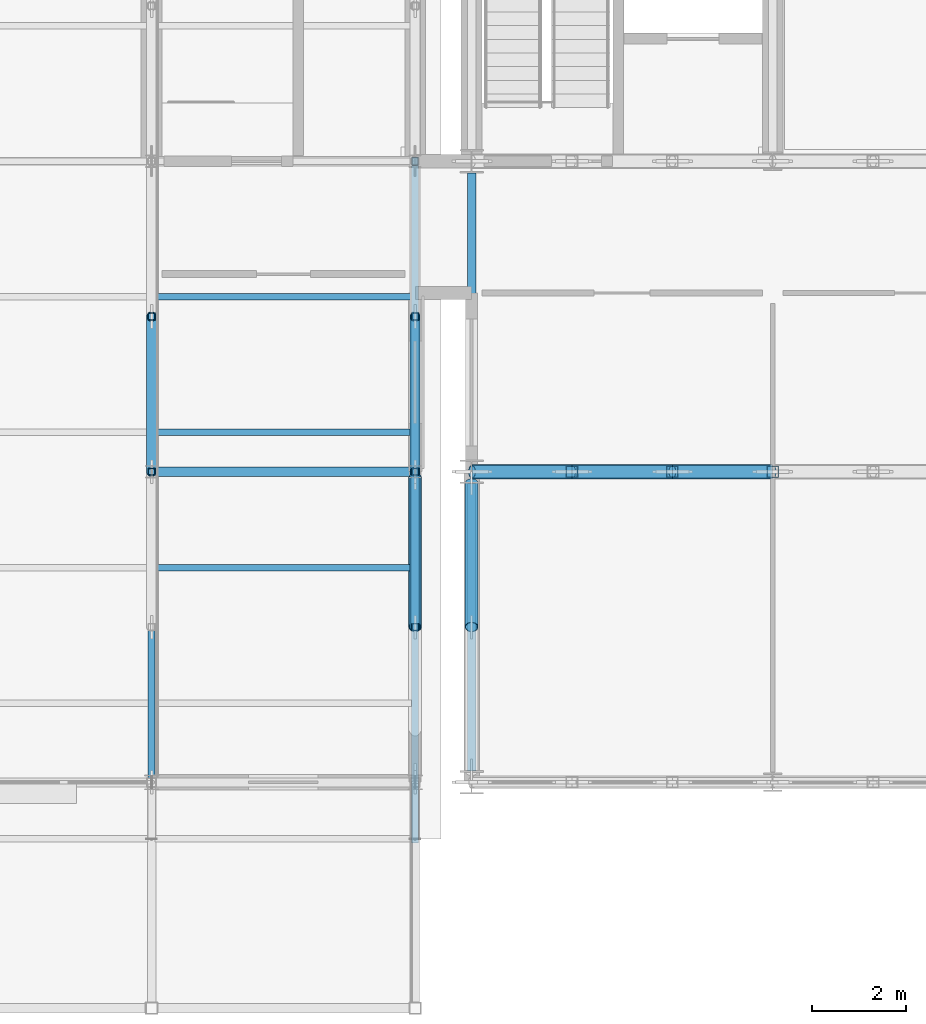
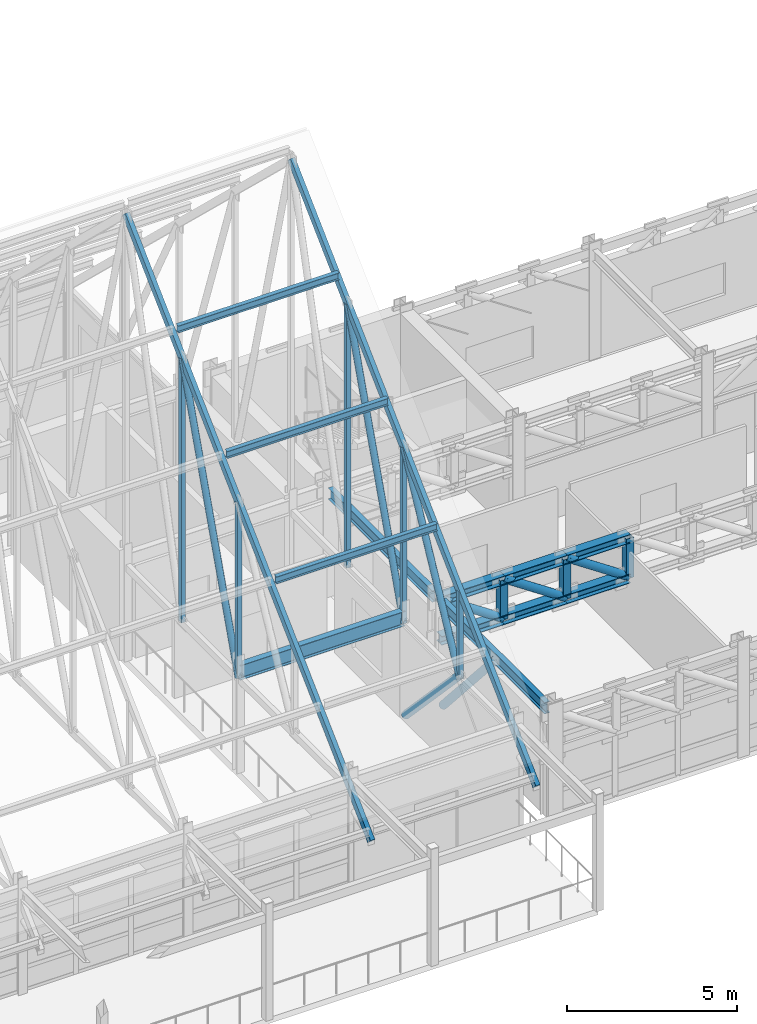
# One storey, part 44 of 144: 27 members, 3 beams.
"""IFC4 building model written with IfcOpenShell, lengths in metres."""

from ifc_helpers import new_model, si_unit, direction, frame, origin, origin_2d, place, context, subcontext, project, spatial, hollow_rectangle, hollow_circle, i_section, extrude, material, material_profile, profile_set, type_object, element, save


model = new_model("IFC4")

# Units and contexts
model_context = context("Model", 3, precision=1e-05, world=origin(), true_north=direction((0.0, 1.0)))
body_context = subcontext(model_context, "Body", "Model", "MODEL_VIEW")
ifc_project = project(units=[si_unit("LENGTHUNIT", "METRE"), si_unit("AREAUNIT", "SQUARE_METRE"), si_unit("VOLUMEUNIT", "CUBIC_METRE"), si_unit("PLANEANGLEUNIT", "RADIAN"), si_unit("MASSUNIT", "GRAM", prefix="KILO")], contexts=[model_context])

# Site, building, storey
site_placement = place(None, origin())
site = spatial("IfcSite", under=ifc_project, at=site_placement, CompositionType="ELEMENT")
building_placement = place(site_placement, origin())
building = spatial("IfcBuilding", under=site, at=building_placement, Name="Trelmorton Wharf Fire Station", CompositionType="ELEMENT")
storey_placement = place(building_placement, frame((0.0, 0.0, 5.39990234375)))
storey = spatial("IfcBuildingStorey", under=building, at=storey_placement, Name="L01", CompositionType="ELEMENT", Elevation=5.39990234375)

# Beams
ifc_material_1 = material(Name="Steel Grade 350", Category="steel")
ifc_material_profile_1 = material_profile(ifc_material_1, i_section(OverallWidth=0.177978515625, OverallDepth=0.406005859375, WebThickness=0.0078125, FlangeThickness=0.0126953125, FilletRadius=0.011474609375, at=origin_2d()), Name="410UB59.7")
ifc_profile_set_1 = profile_set([ifc_material_profile_1], Name="Steel Grade 350")
beam_type_1 = type_object("IfcBeamType", Name="BM_410UB60", PredefinedType="BEAM", material=ifc_profile_set_1)
beam_1_placement = place(storey_placement, frame((58.0, 8.0458984375, 3.72705078125), z_axis=(0.0, 1.0, 0.0), x_axis=(-1.0, 0.0, 0.0)))
element("IfcBeam", 1, at=beam_1_placement, inside=storey, type_object=beam_type_1, Name="BM-L01-0586", PredefinedType="BEAM", context=body_context, shape_type="SweptSolid", body=[
    extrude(i_section(OverallWidth=0.177978515625, OverallDepth=0.406005859375, WebThickness=0.0078125, FlangeThickness=0.0126953125, FilletRadius=0.011474609375, at=origin_2d()), origin(), (0.0, 0.0, 1.0), 6.108154296875),
])
beam_2_placement = place(storey_placement, frame((58.0, 14.64599609375, 3.72705078125), z_axis=(0.0, 1.0, 0.0), x_axis=(-1.0, 0.0, 0.0)))
element("IfcBeam", 2, at=beam_2_placement, inside=storey, type_object=beam_type_1, Name="BM-L01-0587", PredefinedType="BEAM", context=body_context, shape_type="SweptSolid", body=[
    extrude(i_section(OverallWidth=0.177978515625, OverallDepth=0.406005859375, WebThickness=0.0078125, FlangeThickness=0.0126953125, FilletRadius=0.011474609375, at=origin_2d()), origin(), (0.0, 0.0, 1.0), 6.10791015625),
])
ifc_material_profile_2 = material_profile(ifc_material_1, i_section(OverallWidth=0.208984375, OverallDepth=0.528076171875, WebThickness=0.009521484375, FlangeThickness=0.01318359375, FilletRadius=0.013916015625, at=origin_2d()), Name="530UB82.0")
ifc_profile_set_2 = profile_set([ifc_material_profile_2], Name="Steel Grade 350")
beam_type_2 = type_object("IfcBeamType", Name="BM_530UB82", PredefinedType="BEAM", material=ifc_profile_set_2)
beam_3_placement = place(storey_placement, frame((51.2041015625, 14.39990234375, 3.55615234375), z_axis=(1.0, 0.0, 0.0), x_axis=(0.0, 1.0, 0.0)))
element("IfcBeam", 3, at=beam_3_placement, inside=storey, type_object=beam_type_2, Name="BM-L01-0424", PredefinedType="BEAM", context=body_context, shape_type="SweptSolid", body=[
    extrude(i_section(OverallWidth=0.208984375, OverallDepth=0.528076171875, WebThickness=0.009521484375, FlangeThickness=0.01318359375, FilletRadius=0.013916015625, at=origin_2d()), origin(), (0.0, 0.0, 1.0), 5.591796875),
])

# Members
ifc_material_2 = material(Name="Steel C350L0 (350 MPa)", Category="steel")
ifc_material_profile_3 = material_profile(ifc_material_2, hollow_circle(Radius=0.136474609375, WallThickness=0.00927734375, at=origin_2d()), Name="273.1x9.3CHS")
ifc_profile_set_3 = profile_set([ifc_material_profile_3], Name="Steel C350L0 (350 MPa)")
member_type_1 = type_object("IfcMemberType", Name="BR_273CHS", PredefinedType="BRACE", material=ifc_profile_set_3)
member_1_placement = place(storey_placement, frame((56.800048828125, 14.27294921875, 0.1201171875), z_axis=(0.0, -0.687638971939, 0.726052783391), x_axis=(1.0, 0.0, 0.0)))
element("IfcMember", 4, at=member_1_placement, inside=storey, type_object=member_type_1, Name="CBF-V1-E-L01-B", PredefinedType="BRACE", context=body_context, shape_type="SweptSolid", body=[
    extrude(hollow_circle(Radius=0.136474609375, WallThickness=0.00927734375, at=origin_2d()), origin(), (0.0, 0.0, 1.0), 4.614013671875),
])
member_2_placement = place(storey_placement, frame((58.0, 14.153076171875, 0.1201171875), z_axis=(0.0, -0.661630386629, 0.74983013509), x_axis=(1.0, 0.0, 0.0)))
element("IfcMember", 5, at=member_2_placement, inside=storey, type_object=member_type_1, Name="CBF-V3-W-L01-B", PredefinedType="BRACE", context=body_context, shape_type="SweptSolid", body=[
    extrude(hollow_circle(Radius=0.136474609375, WallThickness=0.00927734375, at=origin_2d()), origin(), (0.0, 0.0, 1.0), 4.6142578125),
])
ifc_material_3 = material(Name="Steel Grade 300 (300 MPa)", Category="steel")
ifc_material_profile_4 = material_profile(ifc_material_3, i_section(OverallWidth=0.14599609375, OverallDepth=0.256103515625, WebThickness=0.00634765625, FlangeThickness=0.010986328125, FilletRadius=0.0087890625, at=origin_2d()), Name="250UB37.3")
ifc_profile_set_4 = profile_set([ifc_material_profile_4], Name="Steel Grade 300 (300 MPa)")
member_type_2 = type_object("IfcMemberType", Name="PR_250UB37", PredefinedType="PURLIN", material=ifc_profile_set_4)
for number, where, z_axis, x_axis, name in (
    (6, (51.27197265625, 12.360107421875, 8.064453125), (1.0, 0.0, 0.0), (0.0, 1.0, 0.0), "V1-PR-B10-S2"),
    (7, (51.27197265625, 15.239990234375, 10.8134765625), (1.0, 0.0, 0.0), (0.0, 1.0, 0.0), "V1-PR-B10-S3"),
    (8, (51.27197265625, 18.1201171875, 13.5625), (1.0, 0.0, 0.0), (0.0, 1.0, 0.0), "V1-PR-B10-S4"),
):
    element("IfcMember", number, at=place(storey_placement, frame(where, z_axis=z_axis, x_axis=x_axis)), inside=storey, type_object=member_type_2, Name=name, PredefinedType="PURLIN", context=body_context, shape_type="SweptSolid", body=[
        extrude(i_section(OverallWidth=0.14599609375, OverallDepth=0.256103515625, WebThickness=0.00634765625, FlangeThickness=0.010986328125, FilletRadius=0.0087890625, at=origin_2d()), origin(), (0.0, 0.0, 1.0), 5.4560546875),
    ])
ifc_material_profile_5 = material_profile(ifc_material_1, i_section(OverallWidth=0.306884765625, OverallDepth=0.31494140625, WebThickness=0.011962890625, FlangeThickness=0.018798828125, FilletRadius=0.0166015625, at=origin_2d()), Name="310UC118")
ifc_profile_set_5 = profile_set([ifc_material_profile_5], Name="Steel Grade 350")
member_type_3 = type_object("IfcMemberType", Name="TR_CHORD_310UC", PredefinedType="CHORD", material=ifc_profile_set_5)
for number, where, z_axis, x_axis, name in (
    (9, (58.008056640625, 14.39990234375, 2.35009765625), (1.0, 0.0, 0.0), (0.0, 1.0, 0.0), "Transfer Truss TT2 Bottom Chord 1"),
    (10, (58.008056640625, 14.39990234375, 3.780029296875), (1.0, 0.0, 0.0), (0.0, 1.0, 0.0), "Transfer Truss TT2 Top Chord 1"),
):
    element("IfcMember", number, at=place(storey_placement, frame(where, z_axis=z_axis, x_axis=x_axis)), inside=storey, type_object=member_type_3, Name=name, PredefinedType="CHORD", context=body_context, shape_type="SweptSolid", body=[
        extrude(i_section(OverallWidth=0.306884765625, OverallDepth=0.31494140625, WebThickness=0.011962890625, FlangeThickness=0.018798828125, FilletRadius=0.0166015625, at=origin_2d()), origin(), (0.0, 0.0, 1.0), 2.125244140625),
    ])
for number, where, z_axis, x_axis, name in (
    (11, (60.13330078125, 14.39990234375, 2.35009765625), (1.0, 0.0, 0.0), (0.0, 1.0, 0.0), "Transfer Truss TT2 Bottom Chord 2"),
    (12, (60.13330078125, 14.39990234375, 3.780029296875), (1.0, 0.0, 0.0), (0.0, 1.0, 0.0), "Transfer Truss TT2 Top Chord 2"),
    (13, (62.2666015625, 14.39990234375, 2.35009765625), (1.0, 0.0, 0.0), (0.0, 1.0, 0.0), "Transfer Truss TT2 Bottom Chord 3"),
    (14, (62.2666015625, 14.39990234375, 3.780029296875), (1.0, 0.0, 0.0), (0.0, 1.0, 0.0), "Transfer Truss TT2 Top Chord 3"),
):
    element("IfcMember", number, at=place(storey_placement, frame(where, z_axis=z_axis, x_axis=x_axis)), inside=storey, type_object=member_type_3, Name=name, PredefinedType="CHORD", context=body_context, shape_type="SweptSolid", body=[
        extrude(i_section(OverallWidth=0.306884765625, OverallDepth=0.31494140625, WebThickness=0.011962890625, FlangeThickness=0.018798828125, FilletRadius=0.0166015625, at=origin_2d()), origin(), (0.0, 0.0, 1.0), 2.13330078125),
    ])
ifc_material_profile_6 = material_profile(ifc_material_2, hollow_circle(Radius=0.109619140625, WallThickness=0.00830078125, at=origin_2d()), Name="219.1x8.2CHS")
ifc_profile_set_6 = profile_set([ifc_material_profile_6], Name="Steel C350L0 (350 MPa)")
member_type_4 = type_object("IfcMemberType", Name="TR_DIAG_219CHS", PredefinedType="STRUT", material=ifc_profile_set_6)
member_3_placement = place(storey_placement, frame((51.199951171875, 14.39990234375, 3.351806640625), z_axis=(0.0, 0.329681107508, 0.944092351072), x_axis=(-1.0, 0.0, 0.0)))
element("IfcMember", 15, at=member_3_placement, inside=storey, type_object=member_type_4, Name="V1-TR10-DG-S2", PredefinedType="STRUT", context=body_context, shape_type="SweptSolid", body=[
    extrude(hollow_circle(Radius=0.109619140625, WallThickness=0.00830078125, at=origin_2d()), origin(), (0.0, 0.0, 1.0), 10.009765625),
])
member_4_placement = place(storey_placement, frame((56.800048828125, 11.10009765625, 3.351806640625), z_axis=(0.0, 0.463982622554, 0.8858443012), x_axis=(-1.0, 0.0, 0.0)))
element("IfcMember", 16, at=member_4_placement, inside=storey, type_object=member_type_4, Name="V1-TR11-DG-S1", PredefinedType="STRUT", context=body_context, shape_type="SweptSolid", body=[
    extrude(hollow_circle(Radius=0.109619140625, WallThickness=0.00830078125, at=origin_2d()), origin(), (0.0, 0.0, 1.0), 7.11181640625),
])
member_5_placement = place(storey_placement, frame((56.800048828125, 14.39990234375, 3.351806640625), z_axis=(0.0, 0.329681107508, 0.944092351072), x_axis=(-1.0, 0.0, 0.0)))
element("IfcMember", 17, at=member_5_placement, inside=storey, type_object=member_type_4, Name="V1-TR11-DG-S2", PredefinedType="STRUT", context=body_context, shape_type="SweptSolid", body=[
    extrude(hollow_circle(Radius=0.109619140625, WallThickness=0.00830078125, at=origin_2d()), origin(), (0.0, 0.0, 1.0), 10.009765625),
])
ifc_material_profile_7 = material_profile(ifc_material_2, hollow_circle(Radius=0.136474609375, WallThickness=0.00927734375, at=origin_2d()), Name="273.1x9.3CHS")
ifc_profile_set_7 = profile_set([ifc_material_profile_7], Name="Steel C350L0 (350 MPa)")
member_type_5 = type_object("IfcMemberType", Name="TR_DIAG_273CHS", PredefinedType="STRUT", material=ifc_profile_set_7)
member_6_placement = place(storey_placement, frame((58.008056640625, 14.39990234375, 3.780029296875), z_axis=(0.829681979405, 0.0, -0.558236341571), x_axis=(0.0, 1.0, 0.0)))
element("IfcMember", 18, at=member_6_placement, inside=storey, type_object=member_type_5, Name="TT2-DG-1", PredefinedType="STRUT", context=body_context, shape_type="SweptSolid", body=[
    extrude(hollow_circle(Radius=0.136474609375, WallThickness=0.00927734375, at=origin_2d()), origin(), (0.0, 0.0, 1.0), 2.5615234375),
])
for number, where, z_axis, x_axis, name in (
    (19, (60.13330078125, 14.39990234375, 3.780029296875), (0.830658305664, 0.0, -0.556782524179), (0.0, 1.0, 0.0), "TT2-DG-2"),
    (20, (62.2666015625, 14.39990234375, 3.780029296875), (0.830658305664, 0.0, -0.556782524179), (0.0, 1.0, 0.0), "TT2-DG-3"),
):
    element("IfcMember", number, at=place(storey_placement, frame(where, z_axis=z_axis, x_axis=x_axis)), inside=storey, type_object=member_type_5, Name=name, PredefinedType="STRUT", context=body_context, shape_type="SweptSolid", body=[
        extrude(hollow_circle(Radius=0.136474609375, WallThickness=0.00927734375, at=origin_2d()), origin(), (0.0, 0.0, 1.0), 2.568115234375),
    ])
ifc_material_profile_8 = material_profile(ifc_material_2, hollow_rectangle(XDim=0.14990234375, YDim=0.14990234375, WallThickness=0.009033203125, at=origin_2d()), Name="150x150x9.0SHS")
ifc_profile_set_8 = profile_set([ifc_material_profile_8], Name="Steel C350L0 (350 MPa)")
member_type_6 = type_object("IfcMemberType", Name="TR_POST_150SHS", PredefinedType="POST", material=ifc_profile_set_8)
member_7_placement = place(storey_placement, frame((51.199951171875, 14.39990234375, 3.351806640625), z_axis=(0.0, 0.0, 1.0), x_axis=(1.0, 0.0, 0.0)))
element("IfcMember", 21, at=member_7_placement, inside=storey, type_object=member_type_6, Name="V1-TR10-VP-S2", PredefinedType="POST", context=body_context, shape_type="SweptSolid", body=[
    extrude(hollow_rectangle(XDim=0.14990234375, YDim=0.14990234375, WallThickness=0.009033203125, at=origin_2d()), origin(), (0.0, 0.0, 1.0), 6.300048828125),
])
member_8_placement = place(storey_placement, frame((51.199951171875, 17.699951171875, 3.351806640625), z_axis=(0.0, 0.0, 1.0), x_axis=(1.0, 0.0, 0.0)))
element("IfcMember", 22, at=member_8_placement, inside=storey, type_object=member_type_6, Name="V1-TR10-VP-S3", PredefinedType="POST", context=body_context, shape_type="SweptSolid", body=[
    extrude(hollow_rectangle(XDim=0.14990234375, YDim=0.14990234375, WallThickness=0.009033203125, at=origin_2d()), origin(), (0.0, 0.0, 1.0), 9.4501953125),
])
member_9_placement = place(storey_placement, frame((56.800048828125, 11.10009765625, 3.351806640625), z_axis=(0.0, 0.0, 1.0), x_axis=(1.0, 0.0, 0.0)))
element("IfcMember", 23, at=member_9_placement, inside=storey, type_object=member_type_6, Name="V1-TR11-VP-S1", PredefinedType="POST", context=body_context, shape_type="SweptSolid", body=[
    extrude(hollow_rectangle(XDim=0.14990234375, YDim=0.14990234375, WallThickness=0.009033203125, at=origin_2d()), origin(), (0.0, 0.0, 1.0), 3.150146484375),
])
member_10_placement = place(storey_placement, frame((56.800048828125, 14.39990234375, 3.351806640625), z_axis=(0.0, 0.0, 1.0), x_axis=(1.0, 0.0, 0.0)))
element("IfcMember", 24, at=member_10_placement, inside=storey, type_object=member_type_6, Name="V1-TR11-VP-S2", PredefinedType="POST", context=body_context, shape_type="SweptSolid", body=[
    extrude(hollow_rectangle(XDim=0.14990234375, YDim=0.14990234375, WallThickness=0.009033203125, at=origin_2d()), origin(), (0.0, 0.0, 1.0), 6.300048828125),
])
member_11_placement = place(storey_placement, frame((56.800048828125, 17.699951171875, 3.351806640625), z_axis=(0.0, 0.0, 1.0), x_axis=(1.0, 0.0, 0.0)))
element("IfcMember", 25, at=member_11_placement, inside=storey, type_object=member_type_6, Name="V1-TR11-VP-S3", PredefinedType="POST", context=body_context, shape_type="SweptSolid", body=[
    extrude(hollow_rectangle(XDim=0.14990234375, YDim=0.14990234375, WallThickness=0.009033203125, at=origin_2d()), origin(), (0.0, 0.0, 1.0), 9.4501953125),
])
ifc_material_4 = material(Name="Steel C450L0 (450 MPa)", Category="steel")
ifc_material_profile_9 = material_profile(ifc_material_4, hollow_rectangle(XDim=0.25, YDim=0.25, WallThickness=0.012451171875, at=origin_2d()), Name="250x250x12.5SHS")
ifc_profile_set_9 = profile_set([ifc_material_profile_9], Name="Steel C450L0 (450 MPa)")
member_type_7 = type_object("IfcMemberType", Name="TR_POST_250SHS", PredefinedType="POST", material=ifc_profile_set_9)
for number, where, z_axis, x_axis, name in (
    (26, (60.13330078125, 14.39990234375, 2.35009765625), (0.0, 0.0, 1.0), (1.0, 0.0, 0.0), "TT2-VP-1"),
    (27, (62.2666015625, 14.39990234375, 2.35009765625), (0.0, 0.0, 1.0), (1.0, 0.0, 0.0), "TT2-VP-2"),
    (28, (64.39990234375, 14.39990234375, 2.35009765625), (0.0, 0.0, 1.0), (1.0, 0.0, 0.0), "TT2-VP-3"),
):
    element("IfcMember", number, at=place(storey_placement, frame(where, z_axis=z_axis, x_axis=x_axis)), inside=storey, type_object=member_type_7, Name=name, PredefinedType="POST", context=body_context, shape_type="SweptSolid", body=[
        extrude(hollow_rectangle(XDim=0.25, YDim=0.25, WallThickness=0.012451171875, at=origin_2d()), origin(), (0.0, 0.0, 1.0), 1.429931640625),
    ])
ifc_material_profile_10 = material_profile(ifc_material_2, hollow_rectangle(XDim=0.14990234375, YDim=0.25, WallThickness=0.009033203125, at=origin_2d()), Name="250x150x9.0RHS")
ifc_profile_set_10 = profile_set([ifc_material_profile_10], Name="Steel C350L0 (350 MPa)")
member_type_8 = type_object("IfcMemberType", Name="TR_RAFT_250RHS", PredefinedType="RAFTER", material=ifc_profile_set_10)
for number, where, z_axis, x_axis, name in (
    (29, (51.199951171875, 6.60009765625, 2.206298828125), (0.0, 0.723349418794, 0.690482163659), (-1.0, 0.0, 0.0), "V1-TR10-RFS"),
    (30, (56.800048828125, 6.60009765625, 2.206298828125), (0.0, 0.723349418794, 0.690482163659), (-1.0, 0.0, 0.0), "V1-TR11-RFS"),
):
    element("IfcMember", number, at=place(storey_placement, frame(where, z_axis=z_axis, x_axis=x_axis)), inside=storey, type_object=member_type_8, Name=name, PredefinedType="RAFTER", context=body_context, shape_type="SweptSolid", body=[
        extrude(hollow_rectangle(XDim=0.14990234375, YDim=0.25, WallThickness=0.009033203125, at=origin_2d()), origin(), (0.0, 0.0, 1.0), 19.9072265625),
    ])

save(model, "model.ifc")
